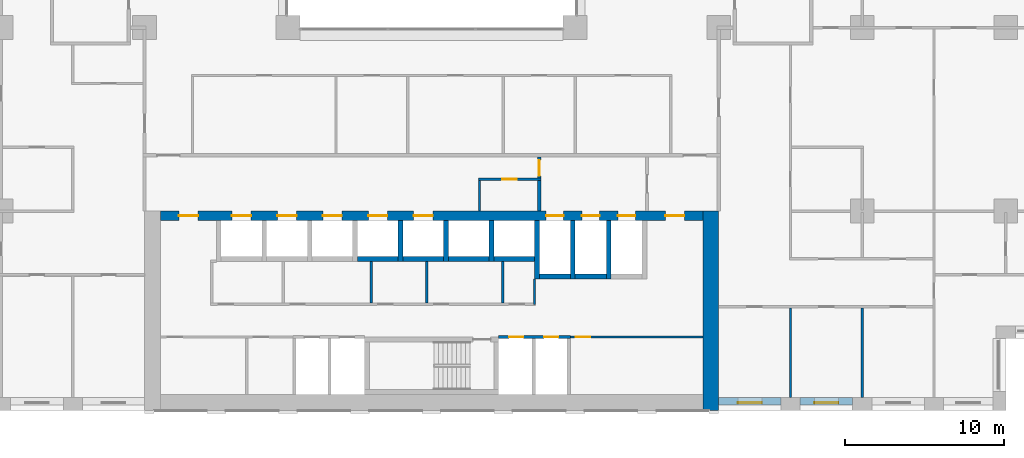
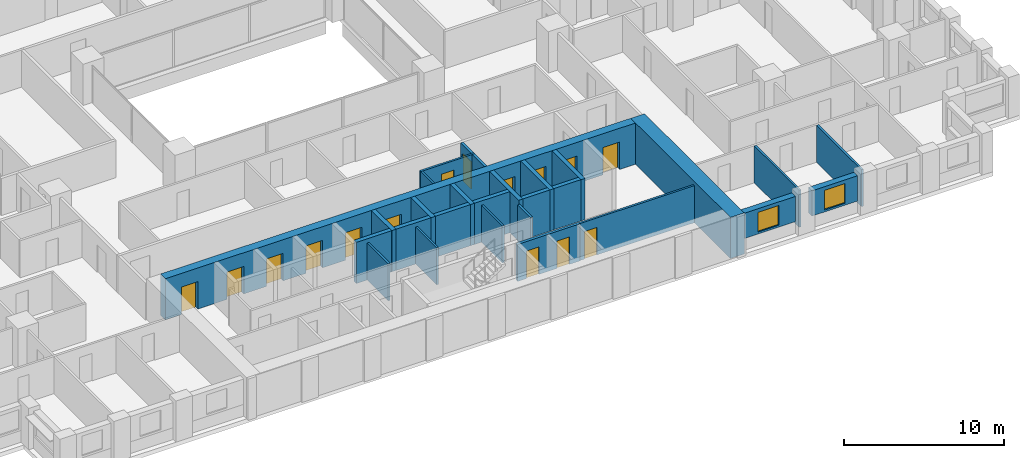
# One storey, part 11 of 21: 28 walls, 15 doors, 2 windows, 17 openings.
"""IFC4 building model written with IfcOpenShell, lengths in metres."""

from ifc_helpers import new_model, si_unit, direction, frame, frame_2d, origin, place, context, subcontext, project, spatial, rectangle, extrude, material, layer, layer_set, type_object, element, fill, save


model = new_model("IFC4")

# Units and contexts
model_context = context("Model", 3, precision=1e-05, world=origin(), true_north=direction((0.0, 1.0)))
body_context = subcontext(model_context, "Body", "Model", "MODEL_VIEW")
ifc_project = project(units=[si_unit("LENGTHUNIT", "METRE"), si_unit("AREAUNIT", "SQUARE_METRE"), si_unit("VOLUMEUNIT", "CUBIC_METRE"), si_unit("PLANEANGLEUNIT", "RADIAN"), si_unit("MASSUNIT", "GRAM", prefix="KILO")], contexts=[model_context])

# Site, building, storey
site_placement = place(None, origin())
site = spatial("IfcSite", under=ifc_project, at=site_placement, CompositionType="ELEMENT")
building_placement = place(site_placement, origin())
building = spatial("IfcBuilding", under=site, at=building_placement, Name="Brigalow Station Residences", CompositionType="ELEMENT")
storey_placement = place(building_placement, frame((0.0, 0.0, 47.85009765625)))
storey = spatial("IfcBuildingStorey", under=building, at=storey_placement, Name="L13", CompositionType="ELEMENT", Elevation=47.85009765625)

# Wall, opening, window
ifc_material_1 = material(Name="Clay brick masonry", Category="masonry")
ifc_layer_1 = layer(ifc_material_1, 0.449951171875)
ifc_layer_set_1 = layer_set([ifc_layer_1], Name="BRICK INFILL WALL 450")
wall_type_1 = type_object("IfcWallType", Name="BRICK INFILL WALL 450", PredefinedType="SOLIDWALL", material=ifc_layer_set_1)
wall_1_placement = place(storey_placement, frame((54.0, 0.574951171875, 0.89990234375), z_axis=(0.0, 0.0, 1.0), x_axis=(1.0, 0.0, 0.0)))
wall_1 = element("IfcWall", 1, at=wall_1_placement, inside=storey, type_object=wall_type_1, Name="L13/ewall/W-L13-5", PredefinedType="SOLIDWALL", context=body_context, shape_type="SweptSolid", body=[
    extrude(rectangle(XDim=3.89990234375, YDim=0.449951171875, at=frame_2d((1.949951171875, 0.0))), origin(), (0.0, 0.0, 1.0), 1.929931640625),
])
opening_1_placement = place(wall_1_placement, frame((1.199951171875, 0.0, 0.14990234375)))
opening_1 = element("IfcOpeningElement", 2, at=opening_1_placement, cuts=wall_1, Name="Opening WT-1", PredefinedType="OPENING", context=body_context, shape_type="SweptSolid", body=[
    extrude(rectangle(XDim=1.5, YDim=1.5, at=frame_2d((0.75, 0.75))), frame((0.0, 0.23486328125, 0.0), z_axis=(0.0, -1.0, 0.0), x_axis=(1.0, 0.0, 0.0)), (0.0, 0.0, 1.0), 0.469970703125),
])
ifc_material_2 = material(Name="Anodised aluminium frame with double glazing", Category="aluminium")
window_type = type_object("IfcWindowType", Name="WINDOW 1500x1500", PartitioningType="SINGLE_PANEL", PredefinedType="WINDOW", material=ifc_material_2)
window_1_placement = place(opening_1_placement, origin())
window_1 = element("IfcWindow", 3, at=window_1_placement, inside=storey, type_object=window_type, Name="L13/window/W-L13-5", OverallHeight=1.5, OverallWidth=1.5, PartitioningType="SINGLE_PANEL", PredefinedType="WINDOW", context=body_context, shape_type="SweptSolid", body=[
    extrude(rectangle(XDim=1.5, YDim=1.5, at=frame_2d((0.75, 0.75))), frame((0.0, -0.06494140625, 0.0), z_axis=(0.0, -1.0, 0.0), x_axis=(1.0, 0.0, 0.0)), (0.0, 0.0, 1.0), 0.06005859375),
])
fill(opening_1, window_1)

wall_2_placement = place(storey_placement, frame((59.10009765625, 0.574951171875, 0.89990234375), z_axis=(0.0, 0.0, 1.0), x_axis=(1.0, 0.0, 0.0)))
wall_2 = element("IfcWall", 4, at=wall_2_placement, inside=storey, type_object=wall_type_1, Name="L13/ewall/W-L13-6", PredefinedType="SOLIDWALL", context=body_context, shape_type="SweptSolid", body=[
    extrude(rectangle(XDim=3.2998046875, YDim=0.449951171875, at=frame_2d((1.64990234375, 0.0))), origin(), (0.0, 0.0, 1.0), 1.929931640625),
])
opening_2_placement = place(wall_2_placement, frame((0.89990234375, 0.0, 0.14990234375)))
opening_2 = element("IfcOpeningElement", 5, at=opening_2_placement, cuts=wall_2, Name="Opening WT-1", PredefinedType="OPENING", context=body_context, shape_type="SweptSolid", body=[
    extrude(rectangle(XDim=1.5, YDim=1.5, at=frame_2d((0.75, 0.75))), frame((0.0, 0.23486328125, 0.0), z_axis=(0.0, -1.0, 0.0), x_axis=(1.0, 0.0, 0.0)), (0.0, 0.0, 1.0), 0.469970703125),
])
window_2_placement = place(opening_2_placement, origin())
window_2 = element("IfcWindow", 6, at=window_2_placement, inside=storey, type_object=window_type, Name="L13/window/W-L13-6", OverallHeight=1.5, OverallWidth=1.5, PartitioningType="SINGLE_PANEL", PredefinedType="WINDOW", context=body_context, shape_type="SweptSolid", body=[
    extrude(rectangle(XDim=1.5, YDim=1.5, at=frame_2d((0.75, 0.75))), frame((0.0, -0.06494140625, 0.0), z_axis=(0.0, -1.0, 0.0), x_axis=(1.0, 0.0, 0.0)), (0.0, 0.0, 1.0), 0.06005859375),
])
fill(opening_2, window_2)

# Walls
ifc_material_3 = material(Name="Concrete C80", Category="concrete")
ifc_layer_2 = layer(ifc_material_3, 1.0)
ifc_layer_set_2 = layer_set([ifc_layer_2], Name="CORE SHEAR WALL 1000 C80")
wall_type_2 = type_object("IfcWallType", Name="CORE SHEAR WALL 1000 C80", PredefinedType="SHEAR", material=ifc_layer_set_2)
wall_3_placement = place(storey_placement, frame((53.5, 0.0, 0.0), z_axis=(0.0, 0.0, 1.0), x_axis=(0.0, 1.0, 0.0)))
element("IfcWall", 7, at=wall_3_placement, inside=storey, type_object=wall_type_2, Name="CORE WALL OUT-E L13", PredefinedType="SHEAR", context=body_context, shape_type="SweptSolid", body=[
    extrude(rectangle(XDim=12.5, YDim=1.0, at=frame_2d((6.25, 0.0))), origin(), (0.0, 0.0, 1.0), 3.14990234375),
])
ifc_material_4 = material(Name="Concrete C80", Category="concrete")
ifc_layer_3 = layer(ifc_material_4, 0.300048828125)
ifc_layer_set_3 = layer_set([ifc_layer_3], Name="CORE SHEAR WALL 300 C80")
wall_type_3 = type_object("IfcWallType", Name="CORE SHEAR WALL 300 C80", PredefinedType="SHEAR", material=ifc_layer_set_3)
wall_4_placement = place(storey_placement, frame((31.35009765625, 9.5, 0.0), z_axis=(0.0, 0.0, 1.0), x_axis=(1.0, 0.0, 0.0)))
element("IfcWall", 8, at=wall_4_placement, inside=storey, type_object=wall_type_3, Name="CORE WALL SH-P4-S L13", PredefinedType="SHEAR", context=body_context, shape_type="SweptSolid", body=[
    extrude(rectangle(XDim=2.5498046875, YDim=0.300048828125, at=frame_2d((1.27490234375, 0.0))), origin(), (0.0, 0.0, 1.0), 3.14990234375),
])
wall_5_placement = place(storey_placement, frame((34.199951171875, 9.5, 0.0), z_axis=(0.0, 0.0, 1.0), x_axis=(1.0, 0.0, 0.0)))
element("IfcWall", 9, at=wall_5_placement, inside=storey, type_object=wall_type_3, Name="CORE WALL SH-P5-S L13", PredefinedType="SHEAR", context=body_context, shape_type="SweptSolid", body=[
    extrude(rectangle(XDim=2.550048828125, YDim=0.300048828125, at=frame_2d((1.27490234375, 0.0))), origin(), (0.0, 0.0, 1.0), 3.14990234375),
])
wall_6_placement = place(storey_placement, frame((34.050048828125, 9.35009765625, 0.0), z_axis=(0.0, 0.0, 1.0), x_axis=(0.0, 1.0, 0.0)))
element("IfcWall", 10, at=wall_6_placement, inside=storey, type_object=wall_type_3, Name="CORE WALL SH-P5-W L13", PredefinedType="SHEAR", context=body_context, shape_type="SweptSolid", body=[
    extrude(rectangle(XDim=2.5498046875, YDim=0.300048828125, at=frame_2d((1.27490234375, 0.0))), origin(), (0.0, 0.0, 1.0), 3.14990234375),
])
wall_7_placement = place(storey_placement, frame((37.050048828125, 9.5, 0.0), z_axis=(0.0, 0.0, 1.0), x_axis=(1.0, 0.0, 0.0)))
element("IfcWall", 11, at=wall_7_placement, inside=storey, type_object=wall_type_3, Name="CORE WALL SH-X1-S L13", PredefinedType="SHEAR", context=body_context, shape_type="SweptSolid", body=[
    extrude(rectangle(XDim=2.550048828125, YDim=0.300048828125, at=frame_2d((1.27490234375, 0.0))), origin(), (0.0, 0.0, 1.0), 3.14990234375),
])
wall_8_placement = place(storey_placement, frame((36.89990234375, 9.35009765625, 0.0), z_axis=(0.0, 0.0, 1.0), x_axis=(0.0, 1.0, 0.0)))
element("IfcWall", 12, at=wall_8_placement, inside=storey, type_object=wall_type_3, Name="CORE WALL SH-X1-W L13", PredefinedType="SHEAR", context=body_context, shape_type="SweptSolid", body=[
    extrude(rectangle(XDim=2.5498046875, YDim=0.300048828125, at=frame_2d((1.27490234375, 0.0))), origin(), (0.0, 0.0, 1.0), 3.14990234375),
])
wall_9_placement = place(storey_placement, frame((39.89990234375, 9.5, 0.0), z_axis=(0.0, 0.0, 1.0), x_axis=(1.0, 0.0, 0.0)))
element("IfcWall", 13, at=wall_9_placement, inside=storey, type_object=wall_type_3, Name="CORE WALL SH-X2-S L13", PredefinedType="SHEAR", context=body_context, shape_type="SweptSolid", body=[
    extrude(rectangle(XDim=2.550048828125, YDim=0.300048828125, at=frame_2d((1.27490234375, 0.0))), origin(), (0.0, 0.0, 1.0), 3.14990234375),
])
wall_10_placement = place(storey_placement, frame((39.75, 9.35009765625, 0.0), z_axis=(0.0, 0.0, 1.0), x_axis=(0.0, 1.0, 0.0)))
element("IfcWall", 14, at=wall_10_placement, inside=storey, type_object=wall_type_3, Name="CORE WALL SH-X2-W L13", PredefinedType="SHEAR", context=body_context, shape_type="SweptSolid", body=[
    extrude(rectangle(XDim=2.5498046875, YDim=0.300048828125, at=frame_2d((1.27490234375, 0.0))), origin(), (0.0, 0.0, 1.0), 3.14990234375),
])
wall_11_placement = place(storey_placement, frame((42.75, 8.39990234375, 0.0), z_axis=(0.0, 0.0, 1.0), x_axis=(1.0, 0.0, 0.0)))
element("IfcWall", 15, at=wall_11_placement, inside=storey, type_object=wall_type_3, Name="CORE WALL SH-FF1-S L13", PredefinedType="SHEAR", context=body_context, shape_type="SweptSolid", body=[
    extrude(rectangle(XDim=1.949951171875, YDim=0.300048828125, at=frame_2d((0.97509765625, 0.0))), origin(), (0.0, 0.0, 1.0), 3.14990234375),
])
wall_12_placement = place(storey_placement, frame((42.60009765625, 8.25, 0.0), z_axis=(0.0, 0.0, 1.0), x_axis=(0.0, 1.0, 0.0)))
element("IfcWall", 16, at=wall_12_placement, inside=storey, type_object=wall_type_3, Name="CORE WALL SH-FF1-W L13", PredefinedType="SHEAR", context=body_context, shape_type="SweptSolid", body=[
    extrude(rectangle(XDim=3.64990234375, YDim=0.300048828125, at=frame_2d((1.824951171875, 0.0))), origin(), (0.0, 0.0, 1.0), 3.14990234375),
])
wall_13_placement = place(storey_placement, frame((45.0, 8.39990234375, 0.0), z_axis=(0.0, 0.0, 1.0), x_axis=(1.0, 0.0, 0.0)))
element("IfcWall", 17, at=wall_13_placement, inside=storey, type_object=wall_type_3, Name="CORE WALL SH-FF2-S L13", PredefinedType="SHEAR", context=body_context, shape_type="SweptSolid", body=[
    extrude(rectangle(XDim=1.949951171875, YDim=0.300048828125, at=frame_2d((0.97509765625, 0.0))), origin(), (0.0, 0.0, 1.0), 3.14990234375),
])
for number, where, z_axis, x_axis, name in (
    (18, (44.85009765625, 8.25, 0.0), (0.0, 0.0, 1.0), (0.0, 1.0, 0.0), "CORE WALL SH-FF2-W L13"),
    (19, (47.10009765625, 8.25, 0.0), (0.0, 0.0, 1.0), (0.0, 1.0, 0.0), "CORE WALL SH-SL1-W L13"),
):
    element("IfcWall", number, at=place(storey_placement, frame(where, z_axis=z_axis, x_axis=x_axis)), inside=storey, type_object=wall_type_3, Name=name, PredefinedType="SHEAR", context=body_context, shape_type="SweptSolid", body=[
        extrude(rectangle(XDim=3.64990234375, YDim=0.300048828125, at=frame_2d((1.824951171875, 0.0))), origin(), (0.0, 0.0, 1.0), 3.14990234375),
    ])

# Wall, openings, doors
ifc_material_5 = material(Name="Concrete C80", Category="concrete")
ifc_layer_4 = layer(ifc_material_5, 0.60009765625)
ifc_layer_set_4 = layer_set([ifc_layer_4], Name="CORE SHEAR WALL 600 C80")
wall_type_4 = type_object("IfcWallType", Name="CORE SHEAR WALL 600 C80", PredefinedType="SHEAR", material=ifc_layer_set_4)
wall_14_placement = place(storey_placement, frame((19.0, 12.199951171875, 0.0), z_axis=(0.0, 0.0, 1.0), x_axis=(1.0, 0.0, 0.0)))
wall_14 = element("IfcWall", 20, at=wall_14_placement, inside=storey, type_object=wall_type_4, Name="CORE WALL OUT-N L13", PredefinedType="SHEAR", context=body_context, shape_type="SweptSolid", body=[
    extrude(rectangle(XDim=34.0, YDim=0.60009765625, at=frame_2d((17.0, 0.0))), origin(), (0.0, 0.0, 1.0), 3.14990234375),
])
opening_3_placement = place(wall_14_placement, frame((4.47509765625, 0.0, 0.0)))
opening_3 = element("IfcOpeningElement", 21, at=opening_3_placement, cuts=wall_14, Name="Opening LD-LA1", PredefinedType="OPENING", context=body_context, shape_type="SweptSolid", body=[
    extrude(rectangle(XDim=1.199951171875, YDim=2.10009765625, at=frame_2d((0.60009765625, 1.050048828125))), frame((0.0, 0.31005859375, 0.0), z_axis=(0.0, -1.0, 0.0), x_axis=(1.0, 0.0, 0.0)), (0.0, 0.0, 1.0), 0.6201171875),
])
opening_4_placement = place(wall_14_placement, frame((7.324951171875, 0.0, 0.0)))
opening_4 = element("IfcOpeningElement", 22, at=opening_4_placement, cuts=wall_14, Name="Opening LD-LA2", PredefinedType="OPENING", context=body_context, shape_type="SweptSolid", body=[
    extrude(rectangle(XDim=1.199951171875, YDim=2.10009765625, at=frame_2d((0.60009765625, 1.050048828125))), frame((0.0, 0.31005859375, 0.0), z_axis=(0.0, -1.0, 0.0), x_axis=(1.0, 0.0, 0.0)), (0.0, 0.0, 1.0), 0.6201171875),
])
opening_5_placement = place(wall_14_placement, frame((10.175048828125, 0.0, 0.0)))
opening_5 = element("IfcOpeningElement", 23, at=opening_5_placement, cuts=wall_14, Name="Opening LD-LA3", PredefinedType="OPENING", context=body_context, shape_type="SweptSolid", body=[
    extrude(rectangle(XDim=1.199951171875, YDim=2.10009765625, at=frame_2d((0.60009765625, 1.050048828125))), frame((0.0, 0.31005859375, 0.0), z_axis=(0.0, -1.0, 0.0), x_axis=(1.0, 0.0, 0.0)), (0.0, 0.0, 1.0), 0.6201171875),
])
opening_6_placement = place(wall_14_placement, frame((13.02490234375, 0.0, 0.0)))
opening_6 = element("IfcOpeningElement", 24, at=opening_6_placement, cuts=wall_14, Name="Opening LD-LA4", PredefinedType="OPENING", context=body_context, shape_type="SweptSolid", body=[
    extrude(rectangle(XDim=1.199951171875, YDim=2.10009765625, at=frame_2d((0.60009765625, 1.050048828125))), frame((0.0, 0.31005859375, 0.0), z_axis=(0.0, -1.0, 0.0), x_axis=(1.0, 0.0, 0.0)), (0.0, 0.0, 1.0), 0.6201171875),
])
opening_7_placement = place(wall_14_placement, frame((15.875, 0.0, 0.0)))
opening_7 = element("IfcOpeningElement", 25, at=opening_7_placement, cuts=wall_14, Name="Opening LD-LA5", PredefinedType="OPENING", context=body_context, shape_type="SweptSolid", body=[
    extrude(rectangle(XDim=1.199951171875, YDim=2.10009765625, at=frame_2d((0.60009765625, 1.050048828125))), frame((0.0, 0.31005859375, 0.0), z_axis=(0.0, -1.0, 0.0), x_axis=(1.0, 0.0, 0.0)), (0.0, 0.0, 1.0), 0.6201171875),
])
opening_8_placement = place(wall_14_placement, frame((24.175048828125, 0.0, 0.0)))
opening_8 = element("IfcOpeningElement", 26, at=opening_8_placement, cuts=wall_14, Name="Opening LD-LF1", PredefinedType="OPENING", context=body_context, shape_type="SweptSolid", body=[
    extrude(rectangle(XDim=1.10009765625, YDim=2.10009765625, at=frame_2d((0.550048828125, 1.050048828125))), frame((0.0, 0.31005859375, 0.0), z_axis=(0.0, -1.0, 0.0), x_axis=(1.0, 0.0, 0.0)), (0.0, 0.0, 1.0), 0.6201171875),
])
opening_9_placement = place(wall_14_placement, frame((26.425048828125, 0.0, 0.0)))
opening_9 = element("IfcOpeningElement", 27, at=opening_9_placement, cuts=wall_14, Name="Opening LD-LF2", PredefinedType="OPENING", context=body_context, shape_type="SweptSolid", body=[
    extrude(rectangle(XDim=1.10009765625, YDim=2.10009765625, at=frame_2d((0.550048828125, 1.050048828125))), frame((0.0, 0.31005859375, 0.0), z_axis=(0.0, -1.0, 0.0), x_axis=(1.0, 0.0, 0.0)), (0.0, 0.0, 1.0), 0.6201171875),
])
opening_10_placement = place(wall_14_placement, frame((28.675048828125, 0.0, 0.0)))
opening_10 = element("IfcOpeningElement", 28, at=opening_10_placement, cuts=wall_14, Name="Opening LD-LG1", PredefinedType="OPENING", context=body_context, shape_type="SweptSolid", body=[
    extrude(rectangle(XDim=1.10009765625, YDim=2.10009765625, at=frame_2d((0.550048828125, 1.050048828125))), frame((0.0, 0.31005859375, 0.0), z_axis=(0.0, -1.0, 0.0), x_axis=(1.0, 0.0, 0.0)), (0.0, 0.0, 1.0), 0.6201171875),
])
opening_11_placement = place(wall_14_placement, frame((1.14990234375, 0.0, 0.0)))
opening_11 = element("IfcOpeningElement", 29, at=opening_11_placement, cuts=wall_14, Name="Opening D-5011", PredefinedType="OPENING", context=body_context, shape_type="SweptSolid", body=[
    extrude(rectangle(XDim=1.199951171875, YDim=2.10009765625, at=frame_2d((0.60009765625, 1.050048828125))), frame((0.0, 0.31005859375, 0.0), z_axis=(0.0, -1.0, 0.0), x_axis=(1.0, 0.0, 0.0)), (0.0, 0.0, 1.0), 0.6201171875),
])
opening_12_placement = place(wall_14_placement, frame((31.64990234375, 0.0, 0.0)))
opening_12 = element("IfcOpeningElement", 30, at=opening_12_placement, cuts=wall_14, Name="Opening D-5012", PredefinedType="OPENING", context=body_context, shape_type="SweptSolid", body=[
    extrude(rectangle(XDim=1.199951171875, YDim=2.10009765625, at=frame_2d((0.60009765625, 1.050048828125))), frame((0.0, 0.31005859375, 0.0), z_axis=(0.0, -1.0, 0.0), x_axis=(1.0, 0.0, 0.0)), (0.0, 0.0, 1.0), 0.6201171875),
])
ifc_material_6 = material(Name="Steel fire door leaf in steel frame", Category="steel")
door_type_1 = type_object("IfcDoorType", Name="CORE CORRIDOR DOOR 1200 x 2100 FD60S", OperationType="SINGLE_SWING_LEFT", PredefinedType="DOOR", material=ifc_material_6)
door_1_placement = place(opening_11_placement, frame((1.199951171875, 0.0, 0.0), z_axis=(0.0, 0.0, 1.0), x_axis=(-1.0, 0.0, 0.0)))
door_1 = element("IfcDoor", 31, at=door_1_placement, inside=storey, type_object=door_type_1, Name="D-5011", OperationType="SINGLE_SWING_LEFT", OverallHeight=2.10009765625, OverallWidth=1.199951171875, PredefinedType="DOOR", context=body_context, shape_type="SweptSolid", body=[
    extrude(rectangle(XDim=1.199951171875, YDim=2.10009765625, at=frame_2d((0.60009765625, 1.050048828125))), frame((0.0, 0.02490234375, 0.0), z_axis=(0.0, -1.0, 0.0), x_axis=(1.0, 0.0, 0.0)), (0.0, 0.0, 1.0), 0.050048828125),
])
fill(opening_11, door_1)
door_2_placement = place(opening_12_placement, frame((1.199951171875, 0.0, 0.0), z_axis=(0.0, 0.0, 1.0), x_axis=(-1.0, 0.0, 0.0)))
door_2 = element("IfcDoor", 32, at=door_2_placement, inside=storey, type_object=door_type_1, Name="D-5012", OperationType="SINGLE_SWING_RIGHT", OverallHeight=2.10009765625, OverallWidth=1.199951171875, PredefinedType="DOOR", context=body_context, shape_type="SweptSolid", body=[
    extrude(rectangle(XDim=1.199951171875, YDim=2.10009765625, at=frame_2d((0.60009765625, 1.050048828125))), frame((0.0, 0.02490234375, 0.0), z_axis=(0.0, -1.0, 0.0), x_axis=(1.0, 0.0, 0.0)), (0.0, 0.0, 1.0), 0.050048828125),
])
fill(opening_12, door_2)
ifc_material_7 = material(Name="Stainless steel sliding door leaves", Category="steel")
door_type_2 = type_object("IfcDoorType", Name="LIFT LANDING DOOR 1100 x 2100", OperationType="DOUBLE_DOOR_SLIDING", PredefinedType="DOOR", material=ifc_material_7)
door_3_placement = place(opening_8_placement, origin())
door_3 = element("IfcDoor", 33, at=door_3_placement, inside=storey, type_object=door_type_2, Name="LANDING DOOR LF1", OperationType="DOUBLE_DOOR_SLIDING", OverallHeight=2.10009765625, OverallWidth=1.10009765625, PredefinedType="DOOR", context=body_context, shape_type="SweptSolid", body=[
    extrude(rectangle(XDim=1.10009765625, YDim=2.10009765625, at=frame_2d((0.550048828125, 1.050048828125))), frame((0.0, 0.02490234375, 0.0), z_axis=(0.0, -1.0, 0.0), x_axis=(1.0, 0.0, 0.0)), (0.0, 0.0, 1.0), 0.050048828125),
])
fill(opening_8, door_3)
door_4_placement = place(opening_9_placement, origin())
door_4 = element("IfcDoor", 34, at=door_4_placement, inside=storey, type_object=door_type_2, Name="LANDING DOOR LF2", OperationType="DOUBLE_DOOR_SLIDING", OverallHeight=2.10009765625, OverallWidth=1.10009765625, PredefinedType="DOOR", context=body_context, shape_type="SweptSolid", body=[
    extrude(rectangle(XDim=1.10009765625, YDim=2.10009765625, at=frame_2d((0.550048828125, 1.050048828125))), frame((0.0, 0.02490234375, 0.0), z_axis=(0.0, -1.0, 0.0), x_axis=(1.0, 0.0, 0.0)), (0.0, 0.0, 1.0), 0.050048828125),
])
fill(opening_9, door_4)
door_5_placement = place(opening_10_placement, origin())
door_5 = element("IfcDoor", 35, at=door_5_placement, inside=storey, type_object=door_type_2, Name="LANDING DOOR LG1", OperationType="DOUBLE_DOOR_SLIDING", OverallHeight=2.10009765625, OverallWidth=1.10009765625, PredefinedType="DOOR", context=body_context, shape_type="SweptSolid", body=[
    extrude(rectangle(XDim=1.10009765625, YDim=2.10009765625, at=frame_2d((0.550048828125, 1.050048828125))), frame((0.0, 0.02490234375, 0.0), z_axis=(0.0, -1.0, 0.0), x_axis=(1.0, 0.0, 0.0)), (0.0, 0.0, 1.0), 0.050048828125),
])
fill(opening_10, door_5)
ifc_material_8 = material(Name="Stainless steel sliding door leaves", Category="steel")
door_type_3 = type_object("IfcDoorType", Name="LIFT LANDING DOOR 1200 x 2100", OperationType="DOUBLE_DOOR_SLIDING", PredefinedType="DOOR", material=ifc_material_8)
door_6_placement = place(opening_3_placement, origin())
door_6 = element("IfcDoor", 36, at=door_6_placement, inside=storey, type_object=door_type_3, Name="LANDING DOOR LA1", OperationType="DOUBLE_DOOR_SLIDING", OverallHeight=2.10009765625, OverallWidth=1.199951171875, PredefinedType="DOOR", context=body_context, shape_type="SweptSolid", body=[
    extrude(rectangle(XDim=1.199951171875, YDim=2.10009765625, at=frame_2d((0.60009765625, 1.050048828125))), frame((0.0, 0.02490234375, 0.0), z_axis=(0.0, -1.0, 0.0), x_axis=(1.0, 0.0, 0.0)), (0.0, 0.0, 1.0), 0.050048828125),
])
fill(opening_3, door_6)
door_7_placement = place(opening_4_placement, origin())
door_7 = element("IfcDoor", 37, at=door_7_placement, inside=storey, type_object=door_type_3, Name="LANDING DOOR LA2", OperationType="DOUBLE_DOOR_SLIDING", OverallHeight=2.10009765625, OverallWidth=1.199951171875, PredefinedType="DOOR", context=body_context, shape_type="SweptSolid", body=[
    extrude(rectangle(XDim=1.199951171875, YDim=2.10009765625, at=frame_2d((0.60009765625, 1.050048828125))), frame((0.0, 0.02490234375, 0.0), z_axis=(0.0, -1.0, 0.0), x_axis=(1.0, 0.0, 0.0)), (0.0, 0.0, 1.0), 0.050048828125),
])
fill(opening_4, door_7)
door_8_placement = place(opening_5_placement, origin())
door_8 = element("IfcDoor", 38, at=door_8_placement, inside=storey, type_object=door_type_3, Name="LANDING DOOR LA3", OperationType="DOUBLE_DOOR_SLIDING", OverallHeight=2.10009765625, OverallWidth=1.199951171875, PredefinedType="DOOR", context=body_context, shape_type="SweptSolid", body=[
    extrude(rectangle(XDim=1.199951171875, YDim=2.10009765625, at=frame_2d((0.60009765625, 1.050048828125))), frame((0.0, 0.02490234375, 0.0), z_axis=(0.0, -1.0, 0.0), x_axis=(1.0, 0.0, 0.0)), (0.0, 0.0, 1.0), 0.050048828125),
])
fill(opening_5, door_8)
door_9_placement = place(opening_6_placement, origin())
door_9 = element("IfcDoor", 39, at=door_9_placement, inside=storey, type_object=door_type_3, Name="LANDING DOOR LA4", OperationType="DOUBLE_DOOR_SLIDING", OverallHeight=2.10009765625, OverallWidth=1.199951171875, PredefinedType="DOOR", context=body_context, shape_type="SweptSolid", body=[
    extrude(rectangle(XDim=1.199951171875, YDim=2.10009765625, at=frame_2d((0.60009765625, 1.050048828125))), frame((0.0, 0.02490234375, 0.0), z_axis=(0.0, -1.0, 0.0), x_axis=(1.0, 0.0, 0.0)), (0.0, 0.0, 1.0), 0.050048828125),
])
fill(opening_6, door_9)
door_10_placement = place(opening_7_placement, origin())
door_10 = element("IfcDoor", 40, at=door_10_placement, inside=storey, type_object=door_type_3, Name="LANDING DOOR LA5", OperationType="DOUBLE_DOOR_SLIDING", OverallHeight=2.10009765625, OverallWidth=1.199951171875, PredefinedType="DOOR", context=body_context, shape_type="SweptSolid", body=[
    extrude(rectangle(XDim=1.199951171875, YDim=2.10009765625, at=frame_2d((0.60009765625, 1.050048828125))), frame((0.0, 0.02490234375, 0.0), z_axis=(0.0, -1.0, 0.0), x_axis=(1.0, 0.0, 0.0)), (0.0, 0.0, 1.0), 0.050048828125),
])
fill(opening_7, door_10)

ifc_material_9 = material(Name="Concrete blockwork", Category="masonry")
ifc_layer_5 = layer(ifc_material_9, 0.199951171875)
ifc_layer_set_5 = layer_set([ifc_layer_5], Name="FIRE RATED CORE PARTITION 200")
wall_type_5 = type_object("IfcWallType", Name="FIRE RATED CORE PARTITION 200", PredefinedType="PARTITIONING", material=ifc_layer_set_5)
wall_15_placement = place(storey_placement, frame((40.199951171875, 4.60009765625, 0.0), z_axis=(0.0, 0.0, 1.0), x_axis=(1.0, 0.0, 0.0)))
wall_15 = element("IfcWall", 41, at=wall_15_placement, inside=storey, type_object=wall_type_5, Name="PW-5018", PredefinedType="PARTITIONING", context=body_context, shape_type="SweptSolid", body=[
    extrude(rectangle(XDim=4.5, YDim=0.199951171875, at=frame_2d((2.25, 0.0))), origin(), (0.0, 0.0, 1.0), 2.829833984375),
])
opening_13_placement = place(wall_15_placement, frame((0.64990234375, 0.0, 0.0)))
opening_13 = element("IfcOpeningElement", 42, at=opening_13_placement, cuts=wall_15, Name="Opening D-5009", PredefinedType="OPENING", context=body_context, shape_type="SweptSolid", body=[
    extrude(rectangle(XDim=0.89990234375, YDim=2.10009765625, at=frame_2d((0.449951171875, 1.050048828125))), frame((0.0, 0.10986328125, 0.0), z_axis=(0.0, -1.0, 0.0), x_axis=(1.0, 0.0, 0.0)), (0.0, 0.0, 1.0), 0.219970703125),
])
opening_14_placement = place(wall_15_placement, frame((2.85009765625, 0.0, 0.0)))
opening_14 = element("IfcOpeningElement", 43, at=opening_14_placement, cuts=wall_15, Name="Opening D-5010", PredefinedType="OPENING", context=body_context, shape_type="SweptSolid", body=[
    extrude(rectangle(XDim=0.89990234375, YDim=2.10009765625, at=frame_2d((0.449951171875, 1.050048828125))), frame((0.0, 0.10986328125, 0.0), z_axis=(0.0, -1.0, 0.0), x_axis=(1.0, 0.0, 0.0)), (0.0, 0.0, 1.0), 0.219970703125),
])
ifc_material_10 = material(Name="Steel fire door leaf in steel frame", Category="steel")
door_type_4 = type_object("IfcDoorType", Name="RISER ACCESS DOOR 900 x 2100 FD120", OperationType="SINGLE_SWING_LEFT", PredefinedType="DOOR", material=ifc_material_10)
door_11_placement = place(opening_13_placement, frame((0.89990234375, 0.0, 0.0), z_axis=(0.0, 0.0, 1.0), x_axis=(-1.0, 0.0, 0.0)))
door_11 = element("IfcDoor", 44, at=door_11_placement, inside=storey, type_object=door_type_4, Name="D-5009", OperationType="SINGLE_SWING_LEFT", OverallHeight=2.10009765625, OverallWidth=0.89990234375, PredefinedType="DOOR", context=body_context, shape_type="SweptSolid", body=[
    extrude(rectangle(XDim=0.89990234375, YDim=2.10009765625, at=frame_2d((0.449951171875, 1.050048828125))), frame((0.0, 0.02490234375, 0.0), z_axis=(0.0, -1.0, 0.0), x_axis=(1.0, 0.0, 0.0)), (0.0, 0.0, 1.0), 0.050048828125),
])
fill(opening_13, door_11)
door_12_placement = place(opening_14_placement, frame((0.89990234375, 0.0, 0.0), z_axis=(0.0, 0.0, 1.0), x_axis=(-1.0, 0.0, 0.0)))
door_12 = element("IfcDoor", 45, at=door_12_placement, inside=storey, type_object=door_type_4, Name="D-5010", OperationType="SINGLE_SWING_LEFT", OverallHeight=2.10009765625, OverallWidth=0.89990234375, PredefinedType="DOOR", context=body_context, shape_type="SweptSolid", body=[
    extrude(rectangle(XDim=0.89990234375, YDim=2.10009765625, at=frame_2d((0.449951171875, 1.050048828125))), frame((0.0, 0.02490234375, 0.0), z_axis=(0.0, -1.0, 0.0), x_axis=(1.0, 0.0, 0.0)), (0.0, 0.0, 1.0), 0.050048828125),
])
fill(opening_14, door_12)

# Wall
wall_16_placement = place(storey_placement, frame((42.75, 12.5, 0.0), z_axis=(0.0, 0.0, 1.0), x_axis=(0.0, 1.0, 0.0)))
element("IfcWall", 46, at=wall_16_placement, inside=storey, type_object=wall_type_5, Name="PW-5046", PredefinedType="PARTITIONING", context=body_context, shape_type="SweptSolid", body=[
    extrude(rectangle(XDim=1.925048828125, YDim=0.199951171875, at=frame_2d((0.96240234375, 0.0))), origin(), (0.0, 0.0, 1.0), 2.829833984375),
])

# Wall, opening, door
wall_17_placement = place(storey_placement, frame((42.75, 14.574951171875, 0.0), z_axis=(0.0, 0.0, 1.0), x_axis=(0.0, 1.0, 0.0)))
wall_17 = element("IfcWall", 47, at=wall_17_placement, inside=storey, type_object=wall_type_5, Name="PW-5047", PredefinedType="PARTITIONING", context=body_context, shape_type="SweptSolid", body=[
    extrude(rectangle(XDim=1.324951171875, YDim=0.199951171875, at=frame_2d((0.66259765625, 0.0))), origin(), (0.0, 0.0, 1.0), 2.829833984375),
])
opening_15_placement = place(wall_17_placement, frame((0.125, 0.0, 0.0)))
opening_15 = element("IfcOpeningElement", 48, at=opening_15_placement, cuts=wall_17, Name="Opening D-5013", PredefinedType="OPENING", context=body_context, shape_type="SweptSolid", body=[
    extrude(rectangle(XDim=1.0, YDim=2.10009765625, at=frame_2d((0.5, 1.050048828125))), frame((0.0, 0.10986328125, 0.0), z_axis=(0.0, -1.0, 0.0), x_axis=(1.0, 0.0, 0.0)), (0.0, 0.0, 1.0), 0.219970703125),
])
ifc_material_11 = material(Name="Steel fire door leaf in steel frame", Category="steel")
door_type_5 = type_object("IfcDoorType", Name="LOBBY DOOR 1000 x 2100 FD60S", OperationType="SINGLE_SWING_LEFT", PredefinedType="DOOR", material=ifc_material_11)
door_13_placement = place(opening_15_placement, origin())
door_13 = element("IfcDoor", 49, at=door_13_placement, inside=storey, type_object=door_type_5, Name="D-5013", OperationType="SINGLE_SWING_LEFT", OverallHeight=2.10009765625, OverallWidth=1.0, PredefinedType="DOOR", context=body_context, shape_type="SweptSolid", body=[
    extrude(rectangle(XDim=1.0, YDim=2.10009765625, at=frame_2d((0.5, 1.050048828125))), frame((0.0, 0.02490234375, 0.0), z_axis=(0.0, -1.0, 0.0), x_axis=(1.0, 0.0, 0.0)), (0.0, 0.0, 1.0), 0.050048828125),
])
fill(opening_15, door_13)

# Walls
ifc_material_12 = material(Name="Plasterboard on steel stud partition", Category="steel")
ifc_layer_6 = layer(ifc_material_12, 0.14990234375)
ifc_layer_set_6 = layer_set([ifc_layer_6], Name="FLAT PARTITION 150")
wall_type_6 = type_object("IfcWallType", Name="FLAT PARTITION 150", PredefinedType="PARTITIONING", material=ifc_layer_set_6)
for number, where, z_axis, x_axis, name in (
    (50, (63.0, 0.800048828125, 0.0), (0.0, 0.0, 1.0), (0.0, 1.0, 0.0), "PW-1D67"),
    (51, (58.5, 0.800048828125, 0.0), (0.0, 0.0, 1.0), (0.0, 1.0, 0.0), "PW-1D82"),
):
    element("IfcWall", number, at=place(storey_placement, frame(where, z_axis=z_axis, x_axis=x_axis)), inside=storey, type_object=wall_type_6, Name=name, PredefinedType="PARTITIONING", context=body_context, shape_type="SweptSolid", body=[
        extrude(rectangle(XDim=5.625, YDim=0.14990234375, at=frame_2d((2.8125, 0.0))), origin(), (0.0, 0.0, 1.0), 2.829833984375),
    ])

# Wall, opening, door
ifc_material_13 = material(Name="Plasterboard on steel studs", Category="steel")
ifc_layer_7 = layer(ifc_material_13, 0.14990234375)
ifc_layer_set_7 = layer_set([ifc_layer_7], Name="SERVICE ROOM PARTITION 150")
wall_type_7 = type_object("IfcWallType", Name="SERVICE ROOM PARTITION 150", PredefinedType="PARTITIONING", material=ifc_layer_set_7)
wall_18_placement = place(storey_placement, frame((44.699951171875, 4.60009765625, 0.0), z_axis=(0.0, 0.0, 1.0), x_axis=(1.0, 0.0, 0.0)))
wall_18 = element("IfcWall", 52, at=wall_18_placement, inside=storey, type_object=wall_type_7, Name="PW-5020", PredefinedType="PARTITIONING", context=body_context, shape_type="SweptSolid", body=[
    extrude(rectangle(XDim=8.300048828125, YDim=0.14990234375, at=frame_2d((4.14990234375, 0.0))), origin(), (0.0, 0.0, 1.0), 2.829833984375),
])
opening_16_placement = place(wall_18_placement, frame((0.35009765625, 0.0, 0.0)))
opening_16 = element("IfcOpeningElement", 53, at=opening_16_placement, cuts=wall_18, Name="Opening D-5026", PredefinedType="OPENING", context=body_context, shape_type="SweptSolid", body=[
    extrude(rectangle(XDim=0.89990234375, YDim=2.10009765625, at=frame_2d((0.449951171875, 1.050048828125))), frame((0.0, 0.0849609375, 0.0), z_axis=(0.0, -1.0, 0.0), x_axis=(1.0, 0.0, 0.0)), (0.0, 0.0, 1.0), 0.169921875),
])
ifc_material_14 = material(Name="Steel door leaf in steel frame", Category="steel")
door_type_6 = type_object("IfcDoorType", Name="SERVICE ROOM DOOR 900 x 2100 FD60", OperationType="SINGLE_SWING_LEFT", PredefinedType="DOOR", material=ifc_material_14)
door_14_placement = place(opening_16_placement, frame((0.89990234375, 0.0, 0.0), z_axis=(0.0, 0.0, 1.0), x_axis=(-1.0, 0.0, 0.0)))
door_14 = element("IfcDoor", 54, at=door_14_placement, inside=storey, type_object=door_type_6, Name="D-5026", OperationType="SINGLE_SWING_RIGHT", OverallHeight=2.10009765625, OverallWidth=0.89990234375, PredefinedType="DOOR", context=body_context, shape_type="SweptSolid", body=[
    extrude(rectangle(XDim=0.89990234375, YDim=2.10009765625, at=frame_2d((0.449951171875, 1.050048828125))), frame((0.0, 0.02490234375, 0.0), z_axis=(0.0, -1.0, 0.0), x_axis=(1.0, 0.0, 0.0)), (0.0, 0.0, 1.0), 0.050048828125),
])
fill(opening_16, door_14)

wall_19_placement = place(storey_placement, frame((38.925048828125, 14.5, 0.0), z_axis=(0.0, 0.0, 1.0), x_axis=(1.0, 0.0, 0.0)))
wall_19 = element("IfcWall", 55, at=wall_19_placement, inside=storey, type_object=wall_type_7, Name="PW-5129", PredefinedType="PARTITIONING", context=body_context, shape_type="SweptSolid", body=[
    extrude(rectangle(XDim=3.925048828125, YDim=0.14990234375, at=frame_2d((1.96240234375, 0.0))), origin(), (0.0, 0.0, 1.0), 2.829833984375),
])
opening_17_placement = place(wall_19_placement, frame((1.5, 0.0, 0.0)))
opening_17 = element("IfcOpeningElement", 56, at=opening_17_placement, cuts=wall_19, Name="Opening D-5076", PredefinedType="OPENING", context=body_context, shape_type="SweptSolid", body=[
    extrude(rectangle(XDim=0.89990234375, YDim=2.10009765625, at=frame_2d((0.449951171875, 1.050048828125))), frame((0.0, 0.0849609375, 0.0), z_axis=(0.0, -1.0, 0.0), x_axis=(1.0, 0.0, 0.0)), (0.0, 0.0, 1.0), 0.169921875),
])
door_15_placement = place(opening_17_placement, frame((0.89990234375, 0.0, 0.0), z_axis=(0.0, 0.0, 1.0), x_axis=(-1.0, 0.0, 0.0)))
door_15 = element("IfcDoor", 57, at=door_15_placement, inside=storey, type_object=door_type_6, Name="D-5076", OperationType="SINGLE_SWING_LEFT", OverallHeight=2.10009765625, OverallWidth=0.89990234375, PredefinedType="DOOR", context=body_context, shape_type="SweptSolid", body=[
    extrude(rectangle(XDim=0.89990234375, YDim=2.10009765625, at=frame_2d((0.449951171875, 1.050048828125))), frame((0.0, 0.02490234375, 0.0), z_axis=(0.0, -1.0, 0.0), x_axis=(1.0, 0.0, 0.0)), (0.0, 0.0, 1.0), 0.050048828125),
])
fill(opening_17, door_15)

# Walls
wall_20_placement = place(storey_placement, frame((42.449951171875, 6.64990234375, 0.0), z_axis=(0.0, 0.0, 1.0), x_axis=(0.0, 1.0, 0.0)))
element("IfcWall", 58, at=wall_20_placement, inside=storey, type_object=wall_type_7, Name="PW-5029", PredefinedType="PARTITIONING", context=body_context, shape_type="SweptSolid", body=[
    extrude(rectangle(XDim=1.60009765625, YDim=0.14990234375, at=frame_2d((0.800048828125, 0.0))), origin(), (0.0, 0.0, 1.0), 2.829833984375),
])
for number, where, z_axis, x_axis, name in (
    (59, (32.199951171875, 6.72509765625, 0.0), (0.0, 0.0, 1.0), (0.0, 1.0, 0.0), "PW-5042"),
    (60, (35.699951171875, 6.72509765625, 0.0), (0.0, 0.0, 1.0), (0.0, 1.0, 0.0), "PW-5043"),
    (61, (40.449951171875, 6.72509765625, 0.0), (0.0, 0.0, 1.0), (0.0, 1.0, 0.0), "PW-5044"),
):
    element("IfcWall", number, at=place(storey_placement, frame(where, z_axis=z_axis, x_axis=x_axis)), inside=storey, type_object=wall_type_7, Name=name, PredefinedType="PARTITIONING", context=body_context, shape_type="SweptSolid", body=[
        extrude(rectangle(XDim=2.625, YDim=0.14990234375, at=frame_2d((1.3125, 0.0))), origin(), (0.0, 0.0, 1.0), 2.829833984375),
    ])
wall_21_placement = place(storey_placement, frame((39.0, 12.5, 0.0), z_axis=(0.0, 0.0, 1.0), x_axis=(0.0, 1.0, 0.0)))
element("IfcWall", 62, at=wall_21_placement, inside=storey, type_object=wall_type_7, Name="PW-5136", PredefinedType="PARTITIONING", context=body_context, shape_type="SweptSolid", body=[
    extrude(rectangle(XDim=1.925048828125, YDim=0.14990234375, at=frame_2d((0.96240234375, 0.0))), origin(), (0.0, 0.0, 1.0), 2.829833984375),
])

save(model, "model.ifc")
